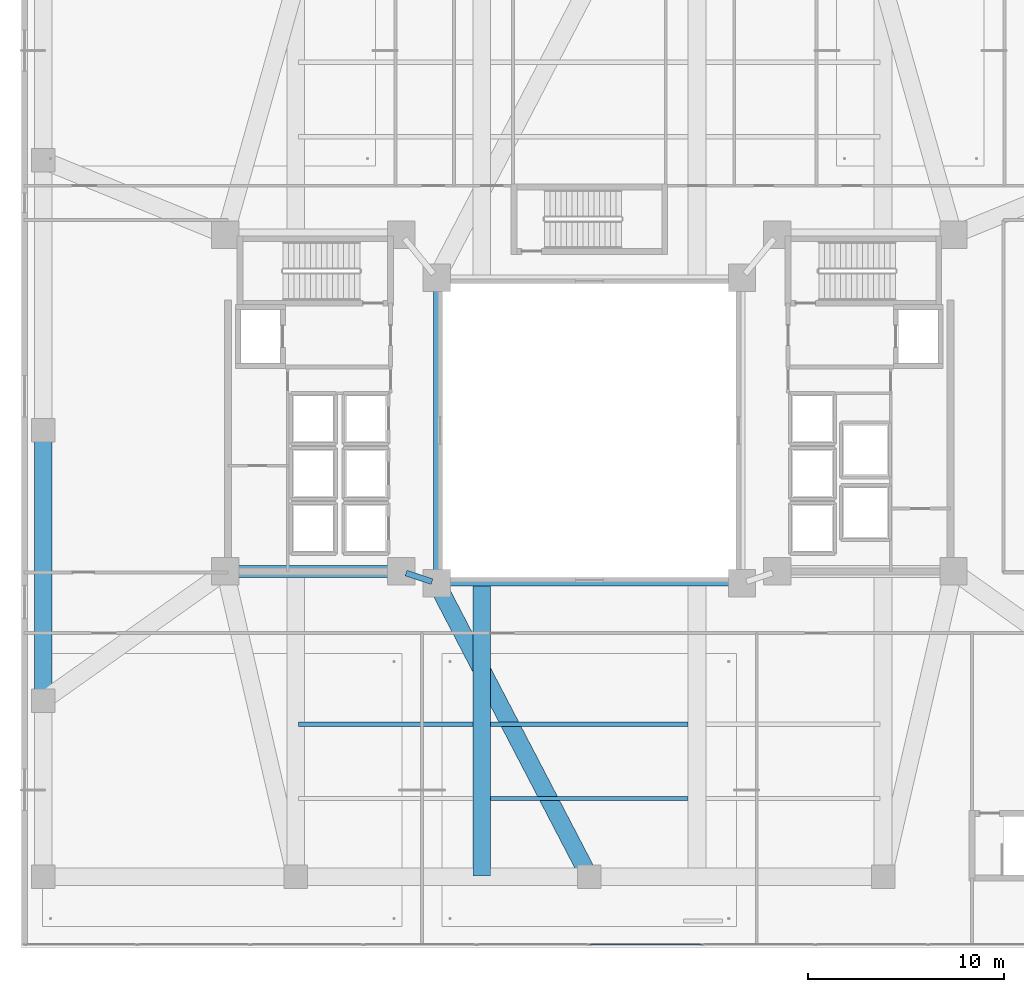
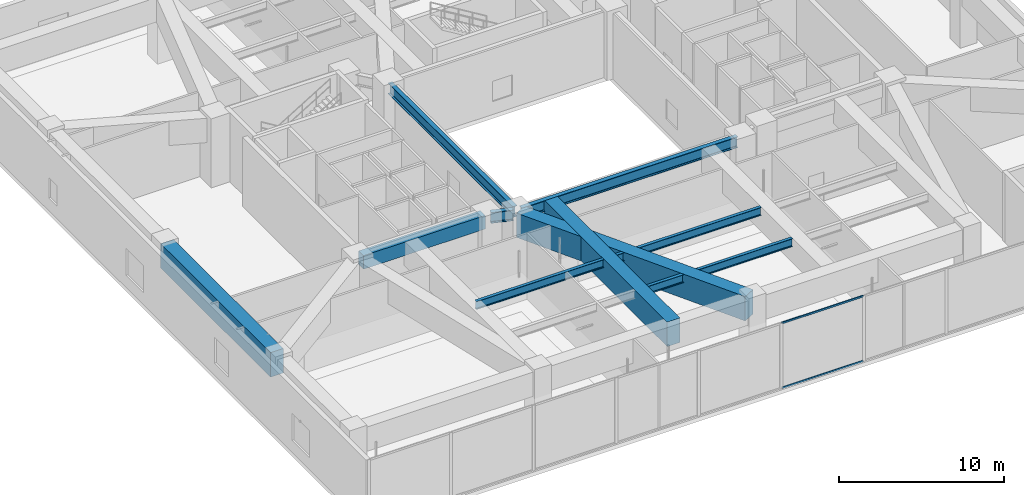
# One storey, part 5 of 21: 10 beams, 2 members, 1 element without a shape of its own.
"""IFC4 building model written with IfcOpenShell, lengths in metres."""

from ifc_helpers import new_model, si_unit, direction, frame, origin, origin_2d, place, context, subcontext, project, spatial, rectangle, hollow_rectangle, i_section, extrude, material, layer, layer_set, material_profile, profile_set, type_object, element, aggregate, save


model = new_model("IFC4")

# Units and contexts
model_context = context("Model", 3, precision=1e-05, world=origin(), true_north=direction((0.0, 1.0)))
body_context = subcontext(model_context, "Body", "Model", "MODEL_VIEW")
ifc_project = project(units=[si_unit("LENGTHUNIT", "METRE"), si_unit("AREAUNIT", "SQUARE_METRE"), si_unit("VOLUMEUNIT", "CUBIC_METRE"), si_unit("PLANEANGLEUNIT", "RADIAN"), si_unit("MASSUNIT", "GRAM", prefix="KILO")], contexts=[model_context])

# Site, building, storey
site_placement = place(None, origin())
site = spatial("IfcSite", under=ifc_project, at=site_placement, CompositionType="ELEMENT")
building_placement = place(site_placement, origin())
building = spatial("IfcBuilding", under=site, at=building_placement, Name="Tarnavaz Court Tower", CompositionType="ELEMENT")
storey_placement = place(building_placement, frame((0.0, 0.0, 18.89990234375)))
storey = spatial("IfcBuildingStorey", under=building, at=storey_placement, Name="L04", CompositionType="ELEMENT", Elevation=18.89990234375)

# Beams
ifc_material_1 = material(Name="Concrete C60/75", Category="concrete")
ifc_material_profile_1 = material_profile(ifc_material_1, rectangle(XDim=0.60009765625, YDim=1.0, at=origin_2d()), Name="RC 600X1000")
ifc_profile_set_1 = profile_set([ifc_material_profile_1], Name="Concrete C60/75")
beam_type_1 = type_object("IfcBeamType", Name="BM-CB1000", PredefinedType="LINTEL", material=ifc_profile_set_1)
beam_1_placement = place(storey_placement, frame((-18.35009765625, -7.199951171875, 4.35009765625), z_axis=(1.0, 0.0, 0.0), x_axis=(0.0, 1.0, 0.0)))
element("IfcBeam", 1, at=beam_1_placement, inside=storey, type_object=beam_type_1, Name="L04 Beam CW-SO-CW-SI", PredefinedType="LINTEL", context=body_context, shape_type="SweptSolid", body=[
    extrude(rectangle(XDim=0.60009765625, YDim=1.0, at=origin_2d()), origin(), (0.0, 0.0, 1.0), 8.5),
])
ifc_material_2 = material(Name="Steel S355", Category="steel")
ifc_material_profile_2 = material_profile(ifc_material_2, i_section(OverallWidth=0.300048828125, OverallDepth=0.800048828125, WebThickness=0.017578125, FlangeThickness=0.032958984375, FilletRadius=0.030029296875, at=origin_2d()), Name="HEB 800")
ifc_profile_set_2 = profile_set([ifc_material_profile_2], Name="Steel S355")
beam_type_2 = type_object("IfcBeamType", Name="BM-G-HEB800", PredefinedType="USERDEFINED", material=ifc_profile_set_2)
for number, where, z_axis, x_axis, name in (
    (2, (-7.550048828125, -7.800048828125, 4.4501953125), (1.0, 0.0, 0.0), (0.0, 1.0, 0.0), "L04 Beam IW-SW-IW-SE"),
    (3, (-7.800048828125, -7.550048828125, 4.4501953125), (0.0, 1.0, 0.0), (-1.0, 0.0, 0.0), "L04 Beam IW-SW-IW-NW"),
):
    element("IfcBeam", number, at=place(storey_placement, frame(where, z_axis=z_axis, x_axis=x_axis)), inside=storey, type_object=beam_type_2, Name=name, ObjectType="GIRDER", PredefinedType="USERDEFINED", context=body_context, shape_type="SweptSolid", body=[
        extrude(i_section(OverallWidth=0.300048828125, OverallDepth=0.800048828125, WebThickness=0.017578125, FlangeThickness=0.032958984375, FilletRadius=0.030029296875, at=origin_2d()), origin(), (0.0, 0.0, 1.0), 15.10009765625),
    ])
beam_2_placement = place(storey_placement, frame((-9.36279296875, -7.279052734375, 4.4501953125), z_axis=(0.948683298051, -0.316227766017, 0.0), x_axis=(0.316227766017, 0.948683298051, 0.0)))
element("IfcBeam", 4, at=beam_2_placement, inside=storey, type_object=beam_type_2, Name="L04 Beam CW-SI-IW-SW", ObjectType="GIRDER", PredefinedType="USERDEFINED", context=body_context, shape_type="SweptSolid", body=[
    extrude(i_section(OverallWidth=0.300048828125, OverallDepth=0.800048828125, WebThickness=0.017578125, FlangeThickness=0.032958984375, FilletRadius=0.030029296875, at=origin_2d()), origin(), (0.0, 0.0, 1.0), 1.3974609375),
])
ifc_material_profile_3 = material_profile(ifc_material_2, i_section(OverallWidth=0.219970703125, OverallDepth=0.60009765625, WebThickness=0.011962890625, FlangeThickness=0.01904296875, FilletRadius=0.02392578125, at=origin_2d()), Name="IPE 600")
ifc_profile_set_3 = profile_set([ifc_material_profile_3], Name="Steel S355")
beam_type_3 = type_object("IfcBeamType", Name="BM-J-IPE600", PredefinedType="JOIST", material=ifc_profile_set_3)
beam_3_placement = place(storey_placement, frame((-14.85009765625, -15.0, 4.550048828125), z_axis=(1.0, 0.0, 0.0), x_axis=(0.0, 1.0, 0.0)))
element("IfcBeam", 5, at=beam_3_placement, inside=storey, type_object=beam_type_3, Name="L04 Beam PJS-1-1", PredefinedType="JOIST", context=body_context, shape_type="SweptSolid", body=[
    extrude(i_section(OverallWidth=0.219970703125, OverallDepth=0.60009765625, WebThickness=0.011962890625, FlangeThickness=0.01904296875, FilletRadius=0.02392578125, at=origin_2d()), origin(), (0.0, 0.0, 1.0), 8.900146484375),
])
for number, where, z_axis, x_axis, name in (
    (6, (-5.050048828125, -15.0, 4.550048828125), (1.0, 0.0, 0.0), (0.0, 1.0, 0.0), "L04 Beam PJS-1-2"),
    (7, (-5.050048828125, -18.800048828125, 4.550048828125), (1.0, 0.0, 0.0), (0.0, 1.0, 0.0), "L04 Beam PJS-2-2"),
):
    element("IfcBeam", number, at=place(storey_placement, frame(where, z_axis=z_axis, x_axis=x_axis)), inside=storey, type_object=beam_type_3, Name=name, PredefinedType="JOIST", context=body_context, shape_type="SweptSolid", body=[
        extrude(i_section(OverallWidth=0.219970703125, OverallDepth=0.60009765625, WebThickness=0.011962890625, FlangeThickness=0.01904296875, FilletRadius=0.02392578125, at=origin_2d()), origin(), (0.0, 0.0, 1.0), 10.10009765625),
    ])
ifc_material_3 = material(Name="Concrete C50/60", Category="concrete")
ifc_material_profile_4 = material_profile(ifc_material_3, rectangle(XDim=0.89990234375, YDim=1.800048828125, at=origin_2d()), Name="RC 900X1800")
ifc_profile_set_4 = profile_set([ifc_material_profile_4], Name="Concrete C50/60")
beam_type_4 = type_object("IfcBeamType", Name="BM-TG1800", PredefinedType="USERDEFINED", material=ifc_profile_set_4)
beam_4_placement = place(storey_placement, frame((-27.89990234375, -13.550048828125, 3.9501953125), z_axis=(0.0, 1.0, 0.0), x_axis=(-1.0, 0.0, 0.0)))
element("IfcBeam", 8, at=beam_4_placement, inside=storey, type_object=beam_type_4, Name="L04 Beam PM-PM-W1-PM-W2", ObjectType="GIRDER", PredefinedType="USERDEFINED", context=body_context, shape_type="SweptSolid", body=[
    extrude(rectangle(XDim=0.89990234375, YDim=1.800048828125, at=origin_2d()), origin(), (0.0, 0.0, 1.0), 13.300048828125),
])
beam_5_placement = place(storey_placement, frame((-7.684814453125, -8.021728515625, 3.9501953125), z_axis=(0.461364918236, -0.887210466699, 0.0), x_axis=(0.887210466699, 0.461364918236, 0.0)))
element("IfcBeam", 9, at=beam_5_placement, inside=storey, type_object=beam_type_4, Name="L04 Beam PM-IW-SW-PM-S2", ObjectType="GIRDER", PredefinedType="USERDEFINED", context=body_context, shape_type="SweptSolid", body=[
    extrude(rectangle(XDim=0.89990234375, YDim=1.800048828125, at=origin_2d()), origin(), (0.0, 0.0, 1.0), 16.406982421875),
])
beam_6_placement = place(storey_placement, frame((-5.5, -7.840087890625, 3.9501953125), z_axis=(0.0, -1.0, 0.0), x_axis=(1.0, 0.0, 0.0)))
element("IfcBeam", 10, at=beam_6_placement, inside=storey, type_object=beam_type_4, Name="L04 Beam PM-NS-SCW", ObjectType="GIRDER", PredefinedType="USERDEFINED", context=body_context, shape_type="SweptSolid", body=[
    extrude(rectangle(XDim=0.89990234375, YDim=1.800048828125, at=origin_2d()), origin(), (0.0, 0.0, 1.0), 14.919921875),
])

# Curtain wall, members
ifc_material_4 = material(Name="Anodised Aluminium 6063-T6 and Solar Low-E Glazing", Category="aluminium")
ifc_layer = layer(ifc_material_4, 0.18994140625)
ifc_layer_set = layer_set([ifc_layer], Name="Anodised Aluminium 6063-T6 and Solar Low-E Glazing")
curtain_wall_type = type_object("IfcCurtainWallType", Name="CW-SYS-01", PredefinedType="NOTDEFINED", material=ifc_layer_set)
curtain_wall_placement = place(storey_placement, origin())
curtain_wall = element("IfcCurtainWall", 11, at=curtain_wall_placement, inside=storey, type_object=curtain_wall_type, Name="L04 Clinic South Curtain Wall 3", PredefinedType="NOTDEFINED")
ifc_material_5 = material(Name="Anodised Aluminium 6063-T6", Category="aluminium")
ifc_material_profile_5 = material_profile(ifc_material_5, hollow_rectangle(XDim=0.06494140625, YDim=0.139892578125, WallThickness=0.00390625, InnerFilletRadius=0.00390625, OuterFilletRadius=0.008056640625, at=origin_2d()), Name="ALU RHS 140X65X4")
ifc_profile_set_5 = profile_set([ifc_material_profile_5], Name="Anodised Aluminium 6063-T6")
member_type = type_object("IfcMemberType", Name="CW-TRN-140", PredefinedType="USERDEFINED", material=ifc_profile_set_5)
member_1_placement = place(storey_placement, frame((5.7275390625, -26.25, 0.03271484375), z_axis=(-1.0, 0.0, 0.0), x_axis=(0.0, -1.0, 0.0)))
member_1 = element("IfcMember", 12, at=member_1_placement, type_object=member_type, Name="CW transom 5.1", ObjectType="TRANSOM", PredefinedType="USERDEFINED", context=body_context, shape_type="SweptSolid", body=[
    extrude(hollow_rectangle(XDim=0.06494140625, YDim=0.139892578125, WallThickness=0.00390625, InnerFilletRadius=0.00390625, OuterFilletRadius=0.008056640625, at=origin_2d()), origin(), (0.0, 0.0, 1.0), 5.68505859375),
])
member_2_placement = place(storey_placement, frame((5.7275390625, -26.25, 4.817626953125), z_axis=(-1.0, 0.0, 0.0), x_axis=(0.0, -1.0, 0.0)))
member_2 = element("IfcMember", 13, at=member_2_placement, type_object=member_type, Name="CW transom 5.2", ObjectType="TRANSOM", PredefinedType="USERDEFINED", context=body_context, shape_type="SweptSolid", body=[
    extrude(hollow_rectangle(XDim=0.06494140625, YDim=0.139892578125, WallThickness=0.00390625, InnerFilletRadius=0.00390625, OuterFilletRadius=0.008056640625, at=origin_2d()), origin(), (0.0, 0.0, 1.0), 5.68505859375),
])
aggregate(curtain_wall, [member_1, member_2])

save(model, "model.ifc")
